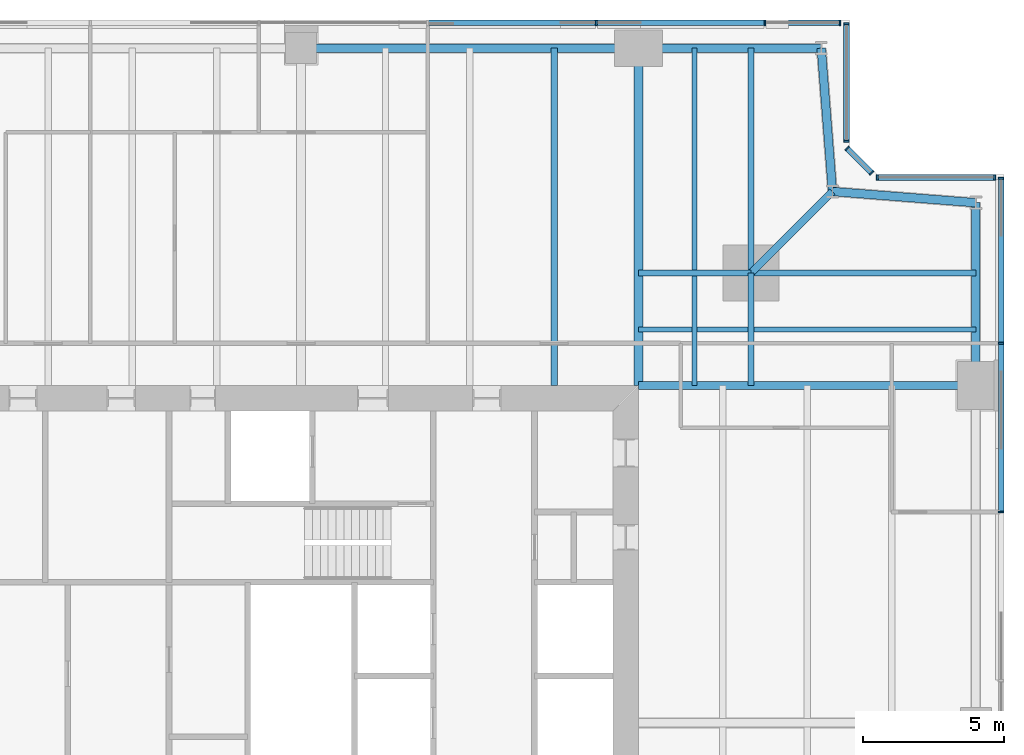
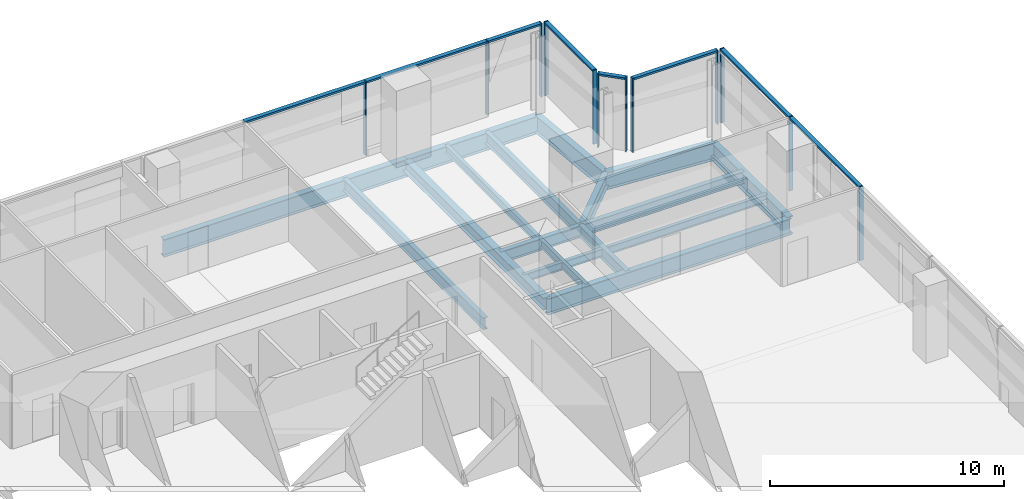
# One storey, part 7 of 14: 20 members, 18 beams, 5 elements without a shape of their own.
"""IFC4 building model written with IfcOpenShell, lengths in metres."""

from ifc_helpers import new_model, si_unit, direction, frame, origin, origin_2d, place, context, subcontext, project, spatial, rectangle, i_section, extrude, material, material_profile, profile_set, type_object, element, aggregate, save


model = new_model("IFC4")

# Units and contexts
model_context = context("Model", 3, precision=1e-05, world=origin(), true_north=direction((0.0, 1.0)))
body_context = subcontext(model_context, "Body", "Model", "MODEL_VIEW")
ifc_project = project(units=[si_unit("LENGTHUNIT", "METRE"), si_unit("AREAUNIT", "SQUARE_METRE"), si_unit("VOLUMEUNIT", "CUBIC_METRE"), si_unit("PLANEANGLEUNIT", "RADIAN"), si_unit("MASSUNIT", "GRAM", prefix="KILO")], contexts=[model_context])

# Site, building, storey
site_placement = place(None, origin())
site = spatial("IfcSite", under=ifc_project, at=site_placement, CompositionType="ELEMENT")
building_placement = place(site_placement, origin())
building = spatial("IfcBuilding", under=site, at=building_placement, Name="Fenwick Lantern Interchange", CompositionType="ELEMENT")
storey_placement = place(building_placement, frame((0.0, 0.0, 205.800048828125)))
storey = spatial("IfcBuildingStorey", under=building, at=storey_placement, Name="L48", CompositionType="ELEMENT", Elevation=205.800048828125)

# Beams
ifc_material_1 = material(Name="Steel ASTM A992 Grade 50", Category="steel")
ifc_material_profile_1 = material_profile(ifc_material_1, i_section(OverallWidth=0.3046875, OverallDepth=0.911865234375, WebThickness=0.015869140625, FlangeThickness=0.02392578125, at=origin_2d()), Name="W36X150")
ifc_profile_set_1 = profile_set([ifc_material_profile_1], Name="Steel ASTM A992 Grade 50")
beam_type_1 = type_object("IfcBeamType", Name="EDGE BEAM W36X150", PredefinedType="SPANDREL", material=ifc_profile_set_1)
beam_1_placement = place(storey_placement, frame((49.0, 37.0, -0.60595703125), z_axis=(0.0, 1.0, 0.0), x_axis=(-1.0, 0.0, 0.0)))
element("IfcBeam", 1, at=beam_1_placement, inside=storey, type_object=beam_type_1, Name="L48/FR/E/EB4", PredefinedType="SPANDREL", context=body_context, shape_type="SweptSolid", body=[
    extrude(i_section(OverallWidth=0.3046875, OverallDepth=0.911865234375, WebThickness=0.015869140625, FlangeThickness=0.02392578125, at=origin_2d()), origin(), (0.0, 0.0, 1.0), 6.5),
])
for number, where, z_axis, x_axis, name in (
    (2, (49.0, 43.5, -0.60595703125), (-0.99693998236, 0.078170784639, 0.0), (-0.078170784639, -0.99693998236, 0.0), "L48/FR/E/EBR1"),
    (3, (43.89990234375, 43.89990234375, -0.60595703125), (-0.078170784639, 0.99693998236, 0.0), (-0.99693998236, -0.078170784639, 0.0), "L48/FR/E/EBR2"),
):
    element("IfcBeam", number, at=place(storey_placement, frame(where, z_axis=z_axis, x_axis=x_axis)), inside=storey, type_object=beam_type_1, Name=name, PredefinedType="SPANDREL", context=body_context, shape_type="SweptSolid", body=[
        extrude(i_section(OverallWidth=0.3046875, OverallDepth=0.911865234375, WebThickness=0.015869140625, FlangeThickness=0.02392578125, at=origin_2d()), origin(), (0.0, 0.0, 1.0), 5.11572265625),
    ])
beam_2_placement = place(storey_placement, frame((43.5, 49.0, -0.60595703125), z_axis=(-1.0, 0.0, 0.0), x_axis=(0.0, -1.0, 0.0)))
element("IfcBeam", 4, at=beam_2_placement, inside=storey, type_object=beam_type_1, Name="L48/FR/N/EB1", PredefinedType="SPANDREL", context=body_context, shape_type="SweptSolid", body=[
    extrude(i_section(OverallWidth=0.3046875, OverallDepth=0.911865234375, WebThickness=0.015869140625, FlangeThickness=0.02392578125, at=origin_2d()), origin(), (0.0, 0.0, 1.0), 6.5),
])
beam_3_placement = place(storey_placement, frame((37.0, 49.0, -0.60595703125), z_axis=(-1.0, 0.0, 0.0), x_axis=(0.0, -1.0, 0.0)))
element("IfcBeam", 5, at=beam_3_placement, inside=storey, type_object=beam_type_1, Name="L48/FR/N/EB2", PredefinedType="SPANDREL", context=body_context, shape_type="SweptSolid", body=[
    extrude(i_section(OverallWidth=0.3046875, OverallDepth=0.911865234375, WebThickness=0.015869140625, FlangeThickness=0.02392578125, at=origin_2d()), origin(), (0.0, 0.0, 1.0), 12.0),
])
ifc_material_profile_2 = material_profile(ifc_material_1, i_section(OverallWidth=0.22900390625, OverallDepth=0.612060546875, WebThickness=0.011962890625, FlangeThickness=0.01953125, at=origin_2d()), Name="W24X84")
ifc_profile_set_2 = profile_set([ifc_material_profile_2], Name="Steel ASTM A992 Grade 50")
beam_type_2 = type_object("IfcBeamType", Name="FLOOR BEAM W24X84", PredefinedType="BEAM", material=ifc_profile_set_2)
beam_4_placement = place(storey_placement, frame((34.0, 49.0, -0.4560546875), z_axis=(0.0, -1.0, 0.0), x_axis=(1.0, 0.0, 0.0)))
element("IfcBeam", 6, at=beam_4_placement, inside=storey, type_object=beam_type_2, Name="L48/FR/N/R02", PredefinedType="BEAM", context=body_context, shape_type="SweptSolid", body=[
    extrude(i_section(OverallWidth=0.22900390625, OverallDepth=0.612060546875, WebThickness=0.011962890625, FlangeThickness=0.01953125, at=origin_2d()), origin(), (0.0, 0.0, 1.0), 12.0),
])
ifc_material_profile_3 = material_profile(ifc_material_1, i_section(OverallWidth=0.177734375, OverallDepth=0.406494140625, WebThickness=0.0078125, FlangeThickness=0.012939453125, at=origin_2d()), Name="W16X40")
ifc_profile_set_3 = profile_set([ifc_material_profile_3], Name="Steel ASTM A992 Grade 50")
beam_type_3 = type_object("IfcBeamType", Name="INFILL BEAM W16X40", PredefinedType="JOIST", material=ifc_profile_set_3)
beam_5_placement = place(storey_placement, frame((39.0, 49.0, -0.353271484375), z_axis=(0.0, -1.0, 0.0), x_axis=(1.0, 0.0, 0.0)))
element("IfcBeam", 7, at=beam_5_placement, inside=storey, type_object=beam_type_3, Name="L48/FR/N/J1", PredefinedType="JOIST", context=body_context, shape_type="SweptSolid", body=[
    extrude(i_section(OverallWidth=0.177734375, OverallDepth=0.406494140625, WebThickness=0.0078125, FlangeThickness=0.012939453125, at=origin_2d()), origin(), (0.0, 0.0, 1.0), 7.885498046875),
])
beam_6_placement = place(storey_placement, frame((39.0, 40.885498046875, -0.353271484375), z_axis=(0.0, -1.0, 0.0), x_axis=(1.0, 0.0, 0.0)))
element("IfcBeam", 8, at=beam_6_placement, inside=storey, type_object=beam_type_3, Name="L48/FR/N/J2", PredefinedType="JOIST", context=body_context, shape_type="SweptSolid", body=[
    extrude(i_section(OverallWidth=0.177734375, OverallDepth=0.406494140625, WebThickness=0.0078125, FlangeThickness=0.012939453125, at=origin_2d()), origin(), (0.0, 0.0, 1.0), 3.885498046875),
])
beam_7_placement = place(storey_placement, frame((49.0, 39.0, -0.353271484375), z_axis=(-1.0, 0.0, 0.0), x_axis=(0.0, -1.0, 0.0)))
element("IfcBeam", 9, at=beam_7_placement, inside=storey, type_object=beam_type_3, Name="L48/FR/N/J3", PredefinedType="JOIST", context=body_context, shape_type="SweptSolid", body=[
    extrude(i_section(OverallWidth=0.177734375, OverallDepth=0.406494140625, WebThickness=0.0078125, FlangeThickness=0.012939453125, at=origin_2d()), origin(), (0.0, 0.0, 1.0), 7.885498046875),
])
beam_8_placement = place(storey_placement, frame((40.885498046875, 39.0, -0.353271484375), z_axis=(-1.0, 0.0, 0.0), x_axis=(0.0, -1.0, 0.0)))
element("IfcBeam", 10, at=beam_8_placement, inside=storey, type_object=beam_type_3, Name="L48/FR/N/J4", PredefinedType="JOIST", context=body_context, shape_type="SweptSolid", body=[
    extrude(i_section(OverallWidth=0.177734375, OverallDepth=0.406494140625, WebThickness=0.0078125, FlangeThickness=0.012939453125, at=origin_2d()), origin(), (0.0, 0.0, 1.0), 1.796630859375),
])
beam_9_placement = place(storey_placement, frame((38.9111328125, 39.0, -0.353271484375), z_axis=(-1.0, 0.0, 0.0), x_axis=(0.0, -1.0, 0.0)))
element("IfcBeam", 11, at=beam_9_placement, inside=storey, type_object=beam_type_3, Name="L48/FR/N/J5", PredefinedType="JOIST", context=body_context, shape_type="SweptSolid", body=[
    extrude(i_section(OverallWidth=0.177734375, OverallDepth=0.406494140625, WebThickness=0.0078125, FlangeThickness=0.012939453125, at=origin_2d()), origin(), (0.0, 0.0, 1.0), 1.9111328125),
])
ifc_material_profile_4 = material_profile(ifc_material_1, i_section(OverallWidth=0.22900390625, OverallDepth=0.612060546875, WebThickness=0.011962890625, FlangeThickness=0.01953125, at=origin_2d()), Name="W24X84")
ifc_profile_set_4 = profile_set([ifc_material_profile_4], Name="Steel ASTM A992 Grade 50")
beam_type_4 = type_object("IfcBeamType", Name="MEGA COLUMN BEAM W24X84", PredefinedType="BEAM", material=ifc_profile_set_4)
for number, where, z_axis, x_axis, name in (
    (12, (41.0, 41.0, -0.4560546875), (0.0, 1.0, 0.0), (-1.0, 0.0, 0.0), "L48/FR/N/MB1"),
    (13, (41.0, 41.0, -0.4560546875), (1.0, 0.0, 0.0), (0.0, 1.0, 0.0), "L48/FR/N/MB2"),
):
    element("IfcBeam", number, at=place(storey_placement, frame(where, z_axis=z_axis, x_axis=x_axis)), inside=storey, type_object=beam_type_4, Name=name, PredefinedType="BEAM", context=body_context, shape_type="SweptSolid", body=[
        extrude(i_section(OverallWidth=0.22900390625, OverallDepth=0.612060546875, WebThickness=0.011962890625, FlangeThickness=0.01953125, at=origin_2d()), origin(), (0.0, 0.0, 1.0), 8.0),
    ])
for number, where, z_axis, x_axis, name in (
    (14, (41.0, 41.0, -0.4560546875), (-1.0, 0.0, 0.0), (0.0, -1.0, 0.0), "L48/FR/N/MB3"),
    (15, (41.0, 41.0, -0.4560546875), (0.0, -1.0, 0.0), (1.0, 0.0, 0.0), "L48/FR/N/MB4"),
):
    element("IfcBeam", number, at=place(storey_placement, frame(where, z_axis=z_axis, x_axis=x_axis)), inside=storey, type_object=beam_type_4, Name=name, PredefinedType="BEAM", context=body_context, shape_type="SweptSolid", body=[
        extrude(i_section(OverallWidth=0.22900390625, OverallDepth=0.612060546875, WebThickness=0.011962890625, FlangeThickness=0.01953125, at=origin_2d()), origin(), (0.0, 0.0, 1.0), 4.0),
    ])
ifc_material_profile_5 = material_profile(ifc_material_1, i_section(OverallWidth=0.32763671875, OverallDepth=0.622314453125, WebThickness=0.015380859375, FlangeThickness=0.0244140625, at=origin_2d()), Name="W24X131")
ifc_profile_set_5 = profile_set([ifc_material_profile_5], Name="Steel ASTM A992 Grade 50")
beam_type_5 = type_object("IfcBeamType", Name="MOMENT-CONNECTED GIRDER W24X131", PredefinedType="BEAM", material=ifc_profile_set_5)
beam_10_placement = place(storey_placement, frame((37.0, 49.0, -0.461181640625), z_axis=(0.0, -1.0, 0.0), x_axis=(1.0, 0.0, 0.0)))
element("IfcBeam", 16, at=beam_10_placement, inside=storey, type_object=beam_type_5, Name="L48/FR/N/R01", PredefinedType="BEAM", context=body_context, shape_type="SweptSolid", body=[
    extrude(i_section(OverallWidth=0.32763671875, OverallDepth=0.622314453125, WebThickness=0.015380859375, FlangeThickness=0.0244140625, at=origin_2d()), origin(), (0.0, 0.0, 1.0), 12.0),
])
ifc_material_profile_6 = material_profile(ifc_material_1, i_section(OverallWidth=0.2919921875, OverallDepth=0.845703125, WebThickness=0.015380859375, FlangeThickness=0.0244140625, at=origin_2d()), Name="W33X141")
ifc_profile_set_6 = profile_set([ifc_material_profile_6], Name="Steel ASTM A992 Grade 50")
beam_type_6 = type_object("IfcBeamType", Name="MOMENT-CONNECTED GIRDER W33X141", PredefinedType="BEAM", material=ifc_profile_set_6)
beam_11_placement = place(storey_placement, frame((49.0, 37.0, -0.572998046875), z_axis=(-1.0, 0.0, 0.0), x_axis=(0.0, -1.0, 0.0)))
element("IfcBeam", 17, at=beam_11_placement, inside=storey, type_object=beam_type_6, Name="L48/FR/E/R03", PredefinedType="BEAM", context=body_context, shape_type="SweptSolid", body=[
    extrude(i_section(OverallWidth=0.2919921875, OverallDepth=0.845703125, WebThickness=0.015380859375, FlangeThickness=0.0244140625, at=origin_2d()), origin(), (0.0, 0.0, 1.0), 12.0),
])
ifc_material_profile_7 = material_profile(ifc_material_1, i_section(OverallWidth=0.2666015625, OverallDepth=0.7568359375, WebThickness=0.013916015625, FlangeThickness=0.019287109375, at=origin_2d()), Name="W30X108")
ifc_profile_set_7 = profile_set([ifc_material_profile_7], Name="Steel ASTM A992 Grade 50")
beam_type_7 = type_object("IfcBeamType", Name="NOTCH BEAM W30X108", PredefinedType="BEAM", material=ifc_profile_set_7)
beam_12_placement = place(storey_placement, frame((41.0, 41.0, -0.528564453125), z_axis=(0.707106781187, 0.707106781187, 0.0), x_axis=(-0.707106781187, 0.707106781187, 0.0)))
element("IfcBeam", 18, at=beam_12_placement, inside=storey, type_object=beam_type_7, Name="L48/FR/N/TG", PredefinedType="BEAM", context=body_context, shape_type="SweptSolid", body=[
    extrude(i_section(OverallWidth=0.2666015625, OverallDepth=0.7568359375, WebThickness=0.013916015625, FlangeThickness=0.019287109375, at=origin_2d()), origin(), (0.0, 0.0, 1.0), 4.10107421875),
])

# Curtain wall, members
ifc_material_2 = material(Name="Aluminium curtain wall frame", Category="aluminium")
curtain_wall_type = type_object("IfcCurtainWallType", Name="OFFICE CURTAIN WALL", PredefinedType="USERDEFINED", material=ifc_material_2)
curtain_wall_1_placement = place(storey_placement, origin())
curtain_wall_1 = element("IfcCurtainWall", 19, at=curtain_wall_1_placement, inside=storey, type_object=curtain_wall_type, Name="Office curtain wall 05", ObjectType="OFFICE CURTAIN WALL", PredefinedType="USERDEFINED")
ifc_material_3 = material(Name="Aluminium extrusion", Category="aluminium")
ifc_material_profile_8 = material_profile(ifc_material_3, rectangle(XDim=0.199951171875, YDim=0.06494140625, at=origin_2d()), Name="OFFICE CURTAIN WALL MULLION 65 X 200")
ifc_profile_set_8 = profile_set([ifc_material_profile_8], Name="Aluminium extrusion")
member_type_1 = type_object("IfcMemberType", Name="OFFICE CURTAIN WALL MULLION 65 X 200", PredefinedType="MULLION", material=ifc_profile_set_8)
member_1_placement = place(storey_placement, frame((49.89990234375, 32.5, 0.0), z_axis=(0.0, 0.0, 1.0), x_axis=(-1.0, 0.0, 0.0)))
member_1 = element("IfcMember", 20, at=member_1_placement, type_object=member_type_1, Name="L48/CW/05/M05", PredefinedType="MULLION", context=body_context, shape_type="SweptSolid", body=[
    extrude(rectangle(XDim=0.199951171875, YDim=0.06494140625, at=origin_2d()), origin(), (0.0, 0.0, 1.0), 3.849853515625),
])
member_2_placement = place(storey_placement, frame((49.89990234375, 38.5, 0.0), z_axis=(0.0, 0.0, 1.0), x_axis=(-1.0, 0.0, 0.0)))
member_2 = element("IfcMember", 21, at=member_2_placement, type_object=member_type_1, Name="L48/CW/05/M06", PredefinedType="MULLION", context=body_context, shape_type="SweptSolid", body=[
    extrude(rectangle(XDim=0.199951171875, YDim=0.06494140625, at=origin_2d()), origin(), (0.0, 0.0, 1.0), 3.849853515625),
])
member_3_placement = place(storey_placement, frame((49.89990234375, 44.367431640625, 0.0), z_axis=(0.0, 0.0, 1.0), x_axis=(-1.0, 0.0, 0.0)))
member_3 = element("IfcMember", 22, at=member_3_placement, type_object=member_type_1, Name="L48/CW/05/M07", PredefinedType="MULLION", context=body_context, shape_type="SweptSolid", body=[
    extrude(rectangle(XDim=0.199951171875, YDim=0.06494140625, at=origin_2d()), origin(), (0.0, 0.0, 1.0), 3.849853515625),
])

curtain_wall_2_placement = place(storey_placement, origin())
curtain_wall_2 = element("IfcCurtainWall", 23, at=curtain_wall_2_placement, inside=storey, type_object=curtain_wall_type, Name="Office curtain wall 06", ObjectType="OFFICE CURTAIN WALL", PredefinedType="USERDEFINED")
member_4_placement = place(storey_placement, frame((49.66748046875, 44.39990234375, 0.0), z_axis=(0.0, 0.0, 1.0), x_axis=(0.0, -1.0, 0.0)))
member_4 = element("IfcMember", 24, at=member_4_placement, type_object=member_type_1, Name="L48/CW/06/M00", PredefinedType="MULLION", context=body_context, shape_type="SweptSolid", body=[
    extrude(rectangle(XDim=0.199951171875, YDim=0.06494140625, at=origin_2d()), origin(), (0.0, 0.0, 1.0), 3.849853515625),
])
member_5_placement = place(storey_placement, frame((45.490966796875, 44.39990234375, 0.0), z_axis=(0.0, 0.0, 1.0), x_axis=(0.0, -1.0, 0.0)))
member_5 = element("IfcMember", 25, at=member_5_placement, type_object=member_type_1, Name="L48/CW/06/M01", PredefinedType="MULLION", context=body_context, shape_type="SweptSolid", body=[
    extrude(rectangle(XDim=0.199951171875, YDim=0.06494140625, at=origin_2d()), origin(), (0.0, 0.0, 1.0), 3.849853515625),
])

curtain_wall_3_placement = place(storey_placement, origin())
curtain_wall_3 = element("IfcCurtainWall", 26, at=curtain_wall_3_placement, inside=storey, type_object=curtain_wall_type, Name="Office curtain wall 07", ObjectType="OFFICE CURTAIN WALL", PredefinedType="USERDEFINED")
member_6_placement = place(storey_placement, frame((45.294189453125, 44.564453125, 0.0), z_axis=(0.0, 0.0, 1.0), x_axis=(-0.707106781187, -0.707106781187, 0.0)))
member_6 = element("IfcMember", 27, at=member_6_placement, type_object=member_type_1, Name="L48/CW/07/M00", PredefinedType="MULLION", context=body_context, shape_type="SweptSolid", body=[
    extrude(rectangle(XDim=0.199951171875, YDim=0.06494140625, at=origin_2d()), origin(), (0.0, 0.0, 1.0), 3.849853515625),
])
member_7_placement = place(storey_placement, frame((44.423095703125, 45.435546875, 0.0), z_axis=(0.0, 0.0, 1.0), x_axis=(-0.707106781187, -0.707106781187, 0.0)))
member_7 = element("IfcMember", 28, at=member_7_placement, type_object=member_type_1, Name="L48/CW/07/M01", PredefinedType="MULLION", context=body_context, shape_type="SweptSolid", body=[
    extrude(rectangle(XDim=0.199951171875, YDim=0.06494140625, at=origin_2d()), origin(), (0.0, 0.0, 1.0), 3.849853515625),
])

curtain_wall_4_placement = place(storey_placement, origin())
curtain_wall_4 = element("IfcCurtainWall", 29, at=curtain_wall_4_placement, inside=storey, type_object=curtain_wall_type, Name="Office curtain wall 08", ObjectType="OFFICE CURTAIN WALL", PredefinedType="USERDEFINED")
member_8_placement = place(storey_placement, frame((44.39990234375, 45.691162109375, 0.0), z_axis=(0.0, 0.0, 1.0), x_axis=(-1.0, 0.0, 0.0)))
member_8 = element("IfcMember", 30, at=member_8_placement, type_object=member_type_1, Name="L48/CW/08/M00", PredefinedType="MULLION", context=body_context, shape_type="SweptSolid", body=[
    extrude(rectangle(XDim=0.199951171875, YDim=0.06494140625, at=origin_2d()), origin(), (0.0, 0.0, 1.0), 3.849853515625),
])
member_9_placement = place(storey_placement, frame((44.39990234375, 49.867431640625, 0.0), z_axis=(0.0, 0.0, 1.0), x_axis=(-1.0, 0.0, 0.0)))
member_9 = element("IfcMember", 31, at=member_9_placement, type_object=member_type_1, Name="L48/CW/08/M01", PredefinedType="MULLION", context=body_context, shape_type="SweptSolid", body=[
    extrude(rectangle(XDim=0.199951171875, YDim=0.06494140625, at=origin_2d()), origin(), (0.0, 0.0, 1.0), 3.849853515625),
])

curtain_wall_5_placement = place(storey_placement, origin())
curtain_wall_5 = element("IfcCurtainWall", 32, at=curtain_wall_5_placement, inside=storey, type_object=curtain_wall_type, Name="Office curtain wall 09", ObjectType="OFFICE CURTAIN WALL", PredefinedType="USERDEFINED")
member_10_placement = place(storey_placement, frame((44.16748046875, 49.89990234375, 0.0), z_axis=(0.0, 0.0, 1.0), x_axis=(0.0, -1.0, 0.0)))
member_10 = element("IfcMember", 33, at=member_10_placement, type_object=member_type_1, Name="L48/CW/09/M00", PredefinedType="MULLION", context=body_context, shape_type="SweptSolid", body=[
    extrude(rectangle(XDim=0.199951171875, YDim=0.06494140625, at=origin_2d()), origin(), (0.0, 0.0, 1.0), 3.849853515625),
])
member_11_placement = place(storey_placement, frame((41.5, 49.89990234375, 0.0), z_axis=(0.0, 0.0, 1.0), x_axis=(0.0, -1.0, 0.0)))
member_11 = element("IfcMember", 34, at=member_11_placement, type_object=member_type_1, Name="L48/CW/09/M01", PredefinedType="MULLION", context=body_context, shape_type="SweptSolid", body=[
    extrude(rectangle(XDim=0.199951171875, YDim=0.06494140625, at=origin_2d()), origin(), (0.0, 0.0, 1.0), 3.849853515625),
])
member_12_placement = place(storey_placement, frame((35.5, 49.89990234375, 0.0), z_axis=(0.0, 0.0, 1.0), x_axis=(0.0, -1.0, 0.0)))
member_12 = element("IfcMember", 35, at=member_12_placement, type_object=member_type_1, Name="L48/CW/09/M02", PredefinedType="MULLION", context=body_context, shape_type="SweptSolid", body=[
    extrude(rectangle(XDim=0.199951171875, YDim=0.06494140625, at=origin_2d()), origin(), (0.0, 0.0, 1.0), 3.849853515625),
])

# Member
ifc_material_profile_9 = material_profile(ifc_material_3, rectangle(XDim=0.199951171875, YDim=0.10009765625, at=origin_2d()), Name="OFFICE CURTAIN WALL TRANSOM 100 X 200")
ifc_profile_set_9 = profile_set([ifc_material_profile_9], Name="Aluminium extrusion")
member_type_2 = type_object("IfcMemberType", Name="OFFICE CURTAIN WALL TRANSOM 100 X 200", PredefinedType="MULLION", material=ifc_profile_set_9)
member_13_placement = place(storey_placement, frame((49.89990234375, 32.532470703125, 3.800048828125), z_axis=(0.0, 1.0, 0.0), x_axis=(-1.0, 0.0, 0.0)))
member_13 = element("IfcMember", 36, at=member_13_placement, type_object=member_type_2, Name="L48/CW/05/T05", PredefinedType="MULLION", context=body_context, shape_type="SweptSolid", body=[
    extrude(rectangle(XDim=0.199951171875, YDim=0.10009765625, at=origin_2d()), origin(), (0.0, 0.0, 1.0), 5.93505859375),
])

member_14_placement = place(storey_placement, frame((49.89990234375, 38.532470703125, 3.800048828125), z_axis=(0.0, 1.0, 0.0), x_axis=(-1.0, 0.0, 0.0)))
member_14 = element("IfcMember", 37, at=member_14_placement, type_object=member_type_2, Name="L48/CW/05/T06", PredefinedType="MULLION", context=body_context, shape_type="SweptSolid", body=[
    extrude(rectangle(XDim=0.199951171875, YDim=0.10009765625, at=origin_2d()), origin(), (0.0, 0.0, 1.0), 5.802490234375),
])

aggregate(curtain_wall_1, [member_1, member_2, member_3, member_13, member_14])

member_15_placement = place(storey_placement, frame((49.635009765625, 44.39990234375, 3.800048828125), z_axis=(-1.0, 0.0, 0.0), x_axis=(0.0, -1.0, 0.0)))
member_15 = element("IfcMember", 38, at=member_15_placement, type_object=member_type_2, Name="L48/CW/06/T00", PredefinedType="MULLION", context=body_context, shape_type="SweptSolid", body=[
    extrude(rectangle(XDim=0.199951171875, YDim=0.10009765625, at=origin_2d()), origin(), (0.0, 0.0, 1.0), 4.111328125),
])

aggregate(curtain_wall_2, [member_4, member_5, member_15])

member_16_placement = place(storey_placement, frame((45.271240234375, 44.58740234375, 3.800048828125), z_axis=(-0.707106781187, 0.707106781187, 0.0), x_axis=(-0.707106781187, -0.707106781187, 0.0)))
member_16 = element("IfcMember", 39, at=member_16_placement, type_object=member_type_2, Name="L48/CW/07/T00", PredefinedType="MULLION", context=body_context, shape_type="SweptSolid", body=[
    extrude(rectangle(XDim=0.199951171875, YDim=0.10009765625, at=origin_2d()), origin(), (0.0, 0.0, 1.0), 1.1669921875),
])

aggregate(curtain_wall_3, [member_6, member_7, member_16])

member_17_placement = place(storey_placement, frame((44.39990234375, 45.7236328125, 3.800048828125), z_axis=(0.0, 1.0, 0.0), x_axis=(-1.0, 0.0, 0.0)))
member_17 = element("IfcMember", 40, at=member_17_placement, type_object=member_type_2, Name="L48/CW/08/T00", PredefinedType="MULLION", context=body_context, shape_type="SweptSolid", body=[
    extrude(rectangle(XDim=0.199951171875, YDim=0.10009765625, at=origin_2d()), origin(), (0.0, 0.0, 1.0), 4.111328125),
])

aggregate(curtain_wall_4, [member_8, member_9, member_17])

member_18_placement = place(storey_placement, frame((44.135009765625, 49.89990234375, 3.800048828125), z_axis=(-1.0, 0.0, 0.0), x_axis=(0.0, -1.0, 0.0)))
member_18 = element("IfcMember", 41, at=member_18_placement, type_object=member_type_2, Name="L48/CW/09/T00", PredefinedType="MULLION", context=body_context, shape_type="SweptSolid", body=[
    extrude(rectangle(XDim=0.199951171875, YDim=0.10009765625, at=origin_2d()), origin(), (0.0, 0.0, 1.0), 2.6025390625),
])

member_19_placement = place(storey_placement, frame((41.467529296875, 49.89990234375, 3.800048828125), z_axis=(-1.0, 0.0, 0.0), x_axis=(0.0, -1.0, 0.0)))
member_19 = element("IfcMember", 42, at=member_19_placement, type_object=member_type_2, Name="L48/CW/09/T01", PredefinedType="MULLION", context=body_context, shape_type="SweptSolid", body=[
    extrude(rectangle(XDim=0.199951171875, YDim=0.10009765625, at=origin_2d()), origin(), (0.0, 0.0, 1.0), 5.93505859375),
])

member_20_placement = place(storey_placement, frame((35.467529296875, 49.89990234375, 3.800048828125), z_axis=(-1.0, 0.0, 0.0), x_axis=(0.0, -1.0, 0.0)))
member_20 = element("IfcMember", 43, at=member_20_placement, type_object=member_type_2, Name="L48/CW/09/T02", PredefinedType="MULLION", context=body_context, shape_type="SweptSolid", body=[
    extrude(rectangle(XDim=0.199951171875, YDim=0.10009765625, at=origin_2d()), origin(), (0.0, 0.0, 1.0), 5.93505859375),
])

aggregate(curtain_wall_5, [member_10, member_11, member_12, member_18, member_19, member_20])

save(model, "model.ifc")
